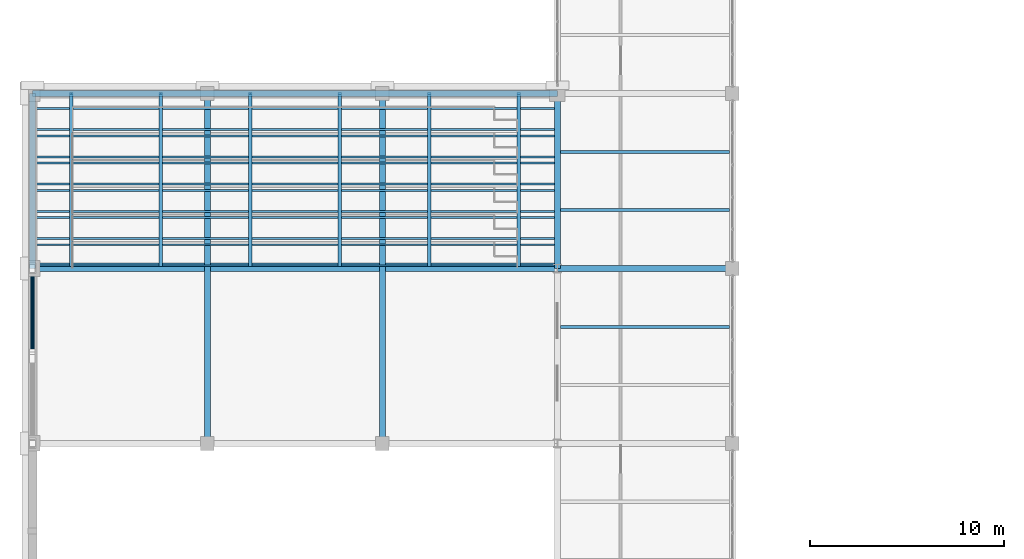
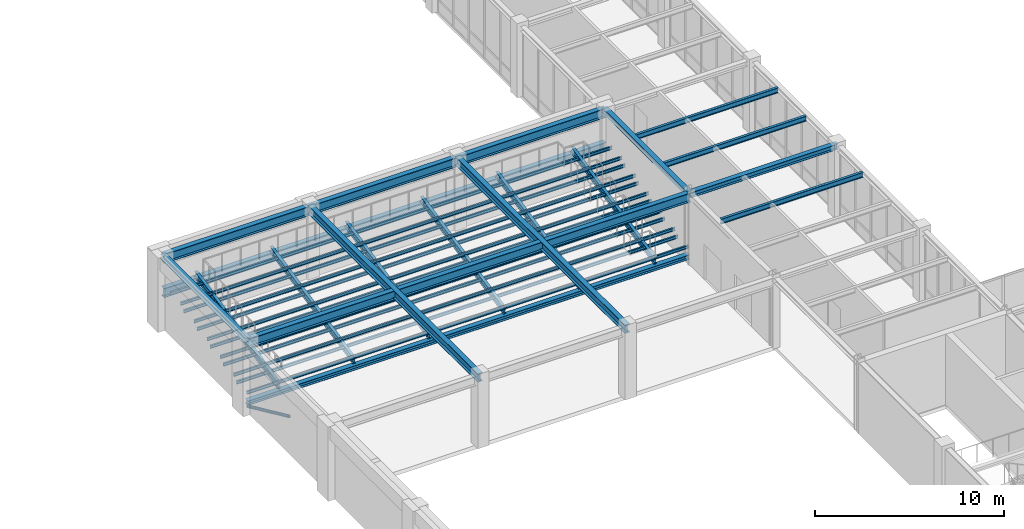
# One storey, part 20 of 98: 30 beams, 1 member.
"""IFC4 building model written with IfcOpenShell, lengths in metres."""

from ifc_helpers import new_model, si_unit, direction, frame, origin, origin_2d, place, context, subcontext, project, spatial, hollow_circle, i_section, extrude, material, material_profile, profile_set, type_object, element, save


model = new_model("IFC4")

# Units and contexts
model_context = context("Model", 3, precision=1e-05, world=origin(), true_north=direction((0.0, 1.0)))
body_context = subcontext(model_context, "Body", "Model", "MODEL_VIEW")
ifc_project = project(units=[si_unit("LENGTHUNIT", "METRE"), si_unit("AREAUNIT", "SQUARE_METRE"), si_unit("VOLUMEUNIT", "CUBIC_METRE"), si_unit("PLANEANGLEUNIT", "RADIAN"), si_unit("MASSUNIT", "GRAM", prefix="KILO")], contexts=[model_context])

# Site, building, storey
site_placement = place(None, origin())
site = spatial("IfcSite", under=ifc_project, at=site_placement, CompositionType="ELEMENT")
building_placement = place(site_placement, origin())
building = spatial("IfcBuilding", under=site, at=building_placement, Name="Lykobir Media Centre", CompositionType="ELEMENT")
storey_placement = place(building_placement, frame((0.0, 0.0, 10.199951171875)))
storey = spatial("IfcBuildingStorey", under=building, at=storey_placement, Name="L02", CompositionType="ELEMENT", Elevation=10.199951171875)

# Beams
ifc_material = material(Name="Steel S355", Category="steel")
ifc_material_profile_1 = material_profile(ifc_material, i_section(OverallWidth=0.300048828125, OverallDepth=0.2900390625, WebThickness=0.008544921875, FlangeThickness=0.013916015625, at=origin_2d()), Name="HEA 300")
ifc_profile_set_1 = profile_set([ifc_material_profile_1], Name="Steel S355")
beam_type_1 = type_object("IfcBeamType", Name="BM-HEA300", PredefinedType="BEAM", material=ifc_profile_set_1)
beam_1_placement = place(storey_placement, frame((0.0, 36.139892578125, 0.31005859375), z_axis=(1.0, 0.0, 0.0), x_axis=(0.0, 1.0, 0.0)))
element("IfcBeam", 1, at=beam_1_placement, inside=storey, type_object=beam_type_1, Name="Beam BM-L02-0000-0361-0270-0361-1051", PredefinedType="BEAM", context=body_context, shape_type="SweptSolid", body=[
    extrude(i_section(OverallWidth=0.300048828125, OverallDepth=0.2900390625, WebThickness=0.008544921875, FlangeThickness=0.013916015625, at=origin_2d()), origin(), (0.0, 0.0, 1.0), 27.0),
])
ifc_material_profile_2 = material_profile(ifc_material, i_section(OverallWidth=0.300048828125, OverallDepth=0.35009765625, WebThickness=0.010009765625, FlangeThickness=0.017578125, at=origin_2d()), Name="HEA 360")
ifc_profile_set_2 = profile_set([ifc_material_profile_2], Name="Steel S355")
beam_type_2 = type_object("IfcBeamType", Name="BM-HEA360", PredefinedType="BEAM", material=ifc_profile_set_2)
beam_2_placement = place(storey_placement, frame((27.0, 36.0, 4.385009765625), z_axis=(1.0, 0.0, 0.0), x_axis=(0.0, 1.0, 0.0)))
element("IfcBeam", 2, at=beam_2_placement, inside=storey, type_object=beam_type_2, Name="Beam BM-L02-0270-0360-0360-0360-1458", PredefinedType="BEAM", context=body_context, shape_type="SweptSolid", body=[
    extrude(i_section(OverallWidth=0.300048828125, OverallDepth=0.35009765625, WebThickness=0.010009765625, FlangeThickness=0.017578125, at=origin_2d()), origin(), (0.0, 0.0, 1.0), 9.0),
])
ifc_material_profile_3 = material_profile(ifc_material, i_section(OverallWidth=0.300048828125, OverallDepth=0.550048828125, WebThickness=0.014892578125, FlangeThickness=0.029052734375, at=origin_2d()), Name="HEB 550")
ifc_profile_set_3 = profile_set([ifc_material_profile_3], Name="Steel S355")
beam_type_3 = type_object("IfcBeamType", Name="BM-HEB550", PredefinedType="BEAM", material=ifc_profile_set_3)
for number, where, z_axis, x_axis, name in (
    (3, (9.0, 27.0, 4.28515625), (0.0, 1.0, 0.0), (-1.0, 0.0, 0.0), "Beam BM-L02-0090-0270-0090-0450-1448"),
    (4, (18.0, 27.0, 4.28515625), (0.0, 1.0, 0.0), (-1.0, 0.0, 0.0), "Beam BM-L02-0180-0270-0180-0450-1448"),
):
    element("IfcBeam", number, at=place(storey_placement, frame(where, z_axis=z_axis, x_axis=x_axis)), inside=storey, type_object=beam_type_3, Name=name, PredefinedType="BEAM", context=body_context, shape_type="SweptSolid", body=[
        extrude(i_section(OverallWidth=0.300048828125, OverallDepth=0.550048828125, WebThickness=0.014892578125, FlangeThickness=0.029052734375, at=origin_2d()), origin(), (0.0, 0.0, 1.0), 18.0),
    ])
ifc_material_profile_4 = material_profile(ifc_material, i_section(OverallWidth=0.300048828125, OverallDepth=0.60009765625, WebThickness=0.015380859375, FlangeThickness=0.030029296875, at=origin_2d()), Name="HEB 600")
ifc_profile_set_4 = profile_set([ifc_material_profile_4], Name="Steel S355")
beam_type_4 = type_object("IfcBeamType", Name="BM-HEB600", PredefinedType="BEAM", material=ifc_profile_set_4)
for number, where, z_axis, x_axis, name in (
    (5, (0.0, 36.0, 4.260009765625), (1.0, 0.0, 0.0), (0.0, 1.0, 0.0), "Beam BM-L02-0000-0360-0270-0360-1446"),
    (6, (0.0, 45.0, 2.0537109375), (1.0, 0.0, 0.0), (0.0, 1.0, 0.0), "Beam BM-L02-0000-0450-0270-0450-1225"),
):
    element("IfcBeam", number, at=place(storey_placement, frame(where, z_axis=z_axis, x_axis=x_axis)), inside=storey, type_object=beam_type_4, Name=name, PredefinedType="BEAM", context=body_context, shape_type="SweptSolid", body=[
        extrude(i_section(OverallWidth=0.300048828125, OverallDepth=0.60009765625, WebThickness=0.015380859375, FlangeThickness=0.030029296875, at=origin_2d()), origin(), (0.0, 0.0, 1.0), 27.0),
    ])
ifc_material_profile_5 = material_profile(ifc_material, i_section(OverallWidth=0.300048828125, OverallDepth=0.60009765625, WebThickness=0.015380859375, FlangeThickness=0.030029296875, at=origin_2d()), Name="HEB 600")
ifc_profile_set_5 = profile_set([ifc_material_profile_5], Name="Steel S355")
beam_type_5 = type_object("IfcBeamType", Name="BM-HEB600-E", PredefinedType="BEAM", material=ifc_profile_set_5)
beam_3_placement = place(storey_placement, frame((0.0, 45.0, 4.260009765625), z_axis=(1.0, 0.0, 0.0), x_axis=(0.0, 1.0, 0.0)))
element("IfcBeam", 7, at=beam_3_placement, inside=storey, type_object=beam_type_5, Name="Beam BM-L02-0000-0450-0270-0450-1446", PredefinedType="BEAM", context=body_context, shape_type="SweptSolid", body=[
    extrude(i_section(OverallWidth=0.300048828125, OverallDepth=0.60009765625, WebThickness=0.015380859375, FlangeThickness=0.030029296875, at=origin_2d()), origin(), (0.0, 0.0, 1.0), 27.0),
])

# Member
ifc_material_profile_6 = material_profile(ifc_material, hollow_circle(Radius=0.096923828125, WallThickness=0.010009765625, at=origin_2d()), Name="CHS 193.7x10.0")
ifc_profile_set_6 = profile_set([ifc_material_profile_6], Name="Steel S355")
member_type = type_object("IfcMemberType", Name="BR-CHS194-E", PredefinedType="BRACE", material=ifc_profile_set_6)
member_placement = place(storey_placement, frame((0.0, 36.0, 0.1201171875), z_axis=(0.0, -0.909254600078, 0.416240401976), x_axis=(1.0, 0.0, 0.0)))
element("IfcMember", 8, at=member_placement, inside=storey, type_object=member_type, Name="Diagonal brace MEM2-L02-0000-0360-0103-0000-0316-0534", PredefinedType="BRACE", context=body_context, shape_type="SweptSolid", body=[
    extrude(hollow_circle(Radius=0.096923828125, WallThickness=0.010009765625, at=origin_2d()), origin(), (0.0, 0.0, 1.0), 4.7890625),
])

# Beams
ifc_material_profile_7 = material_profile(ifc_material, i_section(OverallWidth=0.159912109375, OverallDepth=0.330078125, WebThickness=0.007568359375, FlangeThickness=0.011474609375, at=origin_2d()), Name="IPE 330")
ifc_profile_set_7 = profile_set([ifc_material_profile_7], Name="Steel S355")
beam_type_6 = type_object("IfcBeamType", Name="JS-IPE330", PredefinedType="JOIST", material=ifc_profile_set_7)
for number, where, z_axis, x_axis, name in (
    (9, (27.14990234375, 33.0, 4.39501953125), (1.0, 0.0, 0.0), (0.0, 1.0, 0.0), "Beam BM-L02-0272-0330-0358-0330-1460"),
    (10, (27.14990234375, 39.0, 4.39501953125), (1.0, 0.0, 0.0), (0.0, 1.0, 0.0), "Beam BM-L02-0272-0390-0358-0390-1460"),
    (11, (27.14990234375, 42.0, 4.39501953125), (1.0, 0.0, 0.0), (0.0, 1.0, 0.0), "Beam BM-L02-0272-0420-0358-0420-1460"),
):
    element("IfcBeam", number, at=place(storey_placement, frame(where, z_axis=z_axis, x_axis=x_axis)), inside=storey, type_object=beam_type_6, Name=name, PredefinedType="JOIST", context=body_context, shape_type="SweptSolid", body=[
        extrude(i_section(OverallWidth=0.159912109375, OverallDepth=0.330078125, WebThickness=0.007568359375, FlangeThickness=0.011474609375, at=origin_2d()), origin(), (0.0, 0.0, 1.0), 8.7001953125),
    ])
ifc_material_profile_8 = material_profile(ifc_material, i_section(OverallWidth=0.179931640625, OverallDepth=0.39990234375, WebThickness=0.008544921875, FlangeThickness=0.013427734375, at=origin_2d()), Name="IPE 400")
ifc_profile_set_8 = profile_set([ifc_material_profile_8], Name="Steel S355")
beam_type_7 = type_object("IfcBeamType", Name="RK-IPE400", PredefinedType="USERDEFINED", material=ifc_profile_set_8)
for number, where, z_axis, x_axis, name in (
    (12, (2.0, 36.139892578125, 0.650146484375), (0.0, 0.977805962591, 0.209512528316), (-1.0, 0.0, 0.0), "Beam BM-L02-0020-0361-0020-0450-1085"),
    (13, (6.60009765625, 36.139892578125, 0.650146484375), (0.0, 0.977805962591, 0.209512528316), (-1.0, 0.0, 0.0), "Beam BM-L02-0066-0361-0066-0450-1085"),
    (14, (11.199951171875, 36.139892578125, 0.650146484375), (0.0, 0.977805962591, 0.209512528316), (-1.0, 0.0, 0.0), "Beam BM-L02-0112-0361-0112-0450-1085"),
    (15, (15.800048828125, 36.139892578125, 0.650146484375), (0.0, 0.977805962591, 0.209512528316), (-1.0, 0.0, 0.0), "Beam BM-L02-0158-0361-0158-0450-1085"),
    (16, (20.39990234375, 36.139892578125, 0.650146484375), (0.0, 0.977805962591, 0.209512528316), (-1.0, 0.0, 0.0), "Beam BM-L02-0204-0361-0204-0450-1085"),
    (17, (25.0, 36.139892578125, 0.650146484375), (0.0, 0.977805962591, 0.209512528316), (-1.0, 0.0, 0.0), "Beam BM-L02-0250-0361-0250-0450-1085"),
):
    element("IfcBeam", number, at=place(storey_placement, frame(where, z_axis=z_axis, x_axis=x_axis)), inside=storey, type_object=beam_type_7, Name=name, ObjectType="RAKER", PredefinedType="USERDEFINED", context=body_context, shape_type="SweptSolid", body=[
        extrude(i_section(OverallWidth=0.179931640625, OverallDepth=0.39990234375, WebThickness=0.008544921875, FlangeThickness=0.013427734375, at=origin_2d()), origin(), (0.0, 0.0, 1.0), 9.061279296875),
    ])
ifc_material_profile_9 = material_profile(ifc_material, i_section(OverallWidth=0.300048828125, OverallDepth=0.31005859375, WebThickness=0.009033203125, FlangeThickness=0.015380859375, at=origin_2d()), Name="HEA 320")
ifc_profile_set_9 = profile_set([ifc_material_profile_9], Name="Steel S355")
beam_type_8 = type_object("IfcBeamType", Name="SP-HEA320", PredefinedType="SPANDREL", material=ifc_profile_set_9)
beam_4_placement = place(storey_placement, frame((27.0, 36.0, 4.405029296875), z_axis=(0.0, 1.0, 0.0), x_axis=(-1.0, 0.0, 0.0)))
element("IfcBeam", 18, at=beam_4_placement, inside=storey, type_object=beam_type_8, Name="Beam BM-L02-0270-0360-0270-0450-1460", PredefinedType="SPANDREL", context=body_context, shape_type="SweptSolid", body=[
    extrude(i_section(OverallWidth=0.300048828125, OverallDepth=0.31005859375, WebThickness=0.009033203125, FlangeThickness=0.015380859375, at=origin_2d()), origin(), (0.0, 0.0, 1.0), 9.0),
])
ifc_material_profile_10 = material_profile(ifc_material, i_section(OverallWidth=0.300048828125, OverallDepth=0.31005859375, WebThickness=0.009033203125, FlangeThickness=0.015380859375, at=origin_2d()), Name="HEA 320")
ifc_profile_set_10 = profile_set([ifc_material_profile_10], Name="Steel S355")
beam_type_9 = type_object("IfcBeamType", Name="SP-HEA320-E", PredefinedType="SPANDREL", material=ifc_profile_set_10)
beam_5_placement = place(storey_placement, frame((0.0, 36.0, 4.405029296875), z_axis=(0.0, 1.0, 0.0), x_axis=(-1.0, 0.0, 0.0)))
element("IfcBeam", 19, at=beam_5_placement, inside=storey, type_object=beam_type_9, Name="Beam BM-L02-0000-0360-0000-0450-1460", PredefinedType="SPANDREL", context=body_context, shape_type="SweptSolid", body=[
    extrude(i_section(OverallWidth=0.300048828125, OverallDepth=0.31005859375, WebThickness=0.009033203125, FlangeThickness=0.015380859375, at=origin_2d()), origin(), (0.0, 0.0, 1.0), 9.0),
])
ifc_material_profile_11 = material_profile(ifc_material, i_section(OverallWidth=0.10009765625, OverallDepth=0.199951171875, WebThickness=0.005615234375, FlangeThickness=0.008544921875, at=origin_2d()), Name="IPE 200")
ifc_profile_set_11 = profile_set([ifc_material_profile_11], Name="Steel S355")
beam_type_10 = type_object("IfcBeamType", Name="TP-IPE200", PredefinedType="JOIST", material=ifc_profile_set_11)
for number, where, z_axis, x_axis, name in (
    (20, (0.0, 36.139892578125, 0.9150390625), (1.0, 0.0, 0.0), (0.0, 1.0, 0.0), "Beam BM-L02-0000-0361-0270-0361-1112"),
    (21, (0.0, 37.219970703125, 0.9150390625), (1.0, 0.0, 0.0), (0.0, 1.0, 0.0), "Beam BM-L02-0000-0372-0270-0372-1112"),
    (22, (0.0, 37.5400390625, 1.215087890625), (1.0, 0.0, 0.0), (0.0, 1.0, 0.0), "Beam BM-L02-0000-0375-0270-0375-1142"),
    (23, (0.0, 38.6201171875, 1.215087890625), (1.0, 0.0, 0.0), (0.0, 1.0, 0.0), "Beam BM-L02-0000-0386-0270-0386-1142"),
    (24, (0.0, 38.93994140625, 1.51513671875), (1.0, 0.0, 0.0), (0.0, 1.0, 0.0), "Beam BM-L02-0000-0389-0270-0389-1172"),
    (25, (0.0, 40.02001953125, 1.51513671875), (1.0, 0.0, 0.0), (0.0, 1.0, 0.0), "Beam BM-L02-0000-0400-0270-0400-1172"),
    (26, (0.0, 40.340087890625, 1.81494140625), (1.0, 0.0, 0.0), (0.0, 1.0, 0.0), "Beam BM-L02-0000-0403-0270-0403-1202"),
    (27, (0.0, 41.419921875, 1.81494140625), (1.0, 0.0, 0.0), (0.0, 1.0, 0.0), "Beam BM-L02-0000-0414-0270-0414-1202"),
    (28, (0.0, 41.739990234375, 2.114990234375), (1.0, 0.0, 0.0), (0.0, 1.0, 0.0), "Beam BM-L02-0000-0417-0270-0417-1232"),
    (29, (0.0, 42.820068359375, 2.114990234375), (1.0, 0.0, 0.0), (0.0, 1.0, 0.0), "Beam BM-L02-0000-0428-0270-0428-1232"),
    (30, (0.0, 43.139892578125, 2.4150390625), (1.0, 0.0, 0.0), (0.0, 1.0, 0.0), "Beam BM-L02-0000-0431-0270-0431-1262"),
    (31, (0.0, 44.219970703125, 2.4150390625), (1.0, 0.0, 0.0), (0.0, 1.0, 0.0), "Beam BM-L02-0000-0442-0270-0442-1262"),
):
    element("IfcBeam", number, at=place(storey_placement, frame(where, z_axis=z_axis, x_axis=x_axis)), inside=storey, type_object=beam_type_10, Name=name, PredefinedType="JOIST", context=body_context, shape_type="SweptSolid", body=[
        extrude(i_section(OverallWidth=0.10009765625, OverallDepth=0.199951171875, WebThickness=0.005615234375, FlangeThickness=0.008544921875, at=origin_2d()), origin(), (0.0, 0.0, 1.0), 27.0),
    ])

save(model, "model.ifc")
